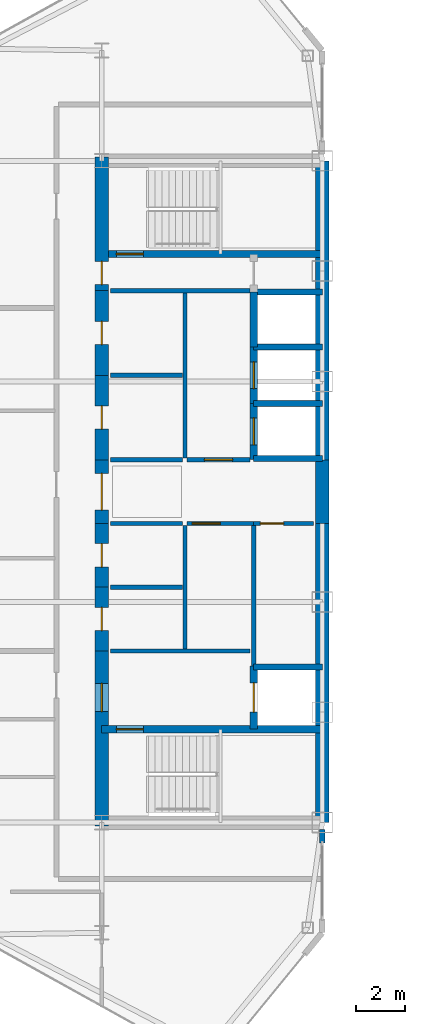
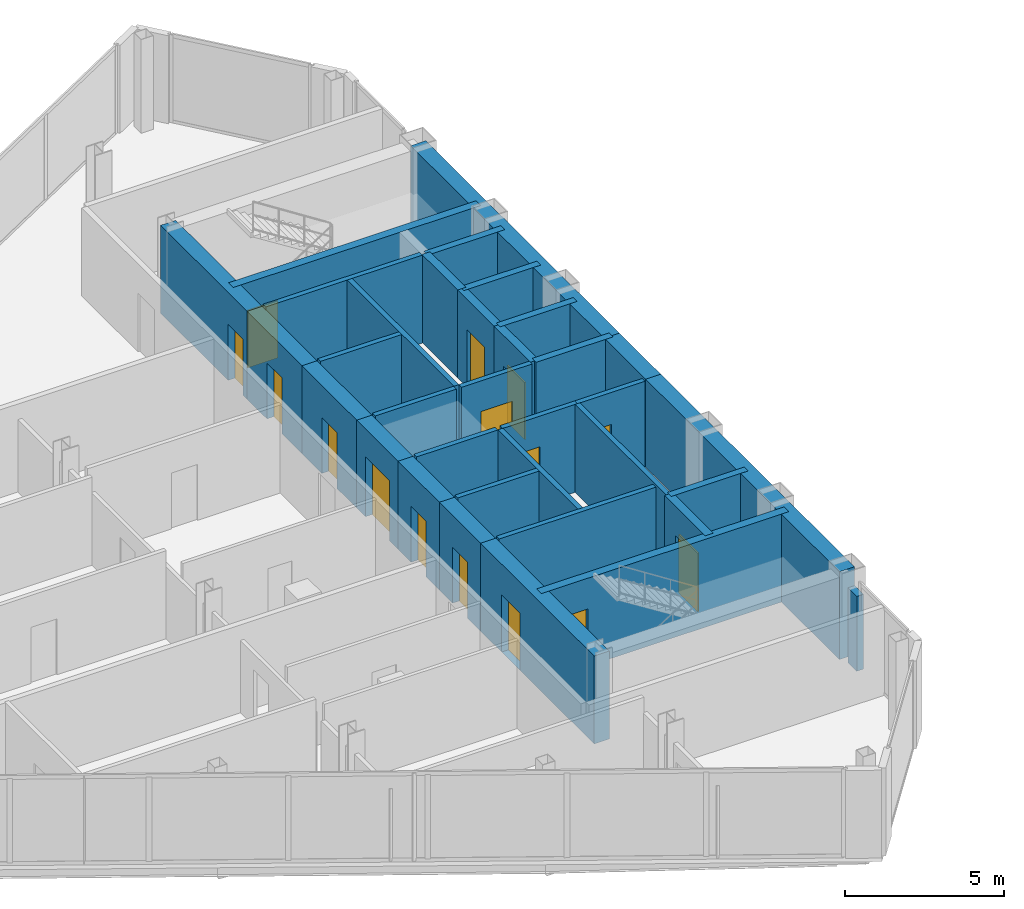
# One storey, part 20 of 26: 34 walls, 15 doors, 15 openings.
"""IFC4 building model written with IfcOpenShell, lengths in metres."""

from ifc_helpers import new_model, si_unit, direction, frame, frame_2d, origin, place, context, subcontext, project, spatial, rectangle, extrude, source, transform, mapped, material, layer, layer_set, type_object, type_shapes, element, fill, save


model = new_model("IFC4")

# Units and contexts
model_context = context("Model", 3, precision=1e-05, world=origin(), true_north=direction((0.0, 1.0)))
body_context = subcontext(model_context, "Body", "Model", "MODEL_VIEW")
ifc_project = project(units=[si_unit("LENGTHUNIT", "METRE"), si_unit("AREAUNIT", "SQUARE_METRE"), si_unit("VOLUMEUNIT", "CUBIC_METRE"), si_unit("PLANEANGLEUNIT", "RADIAN"), si_unit("MASSUNIT", "GRAM", prefix="KILO")], contexts=[model_context])

# Site, building, storey
site_placement = place(None, origin())
site = spatial("IfcSite", under=ifc_project, at=site_placement, CompositionType="ELEMENT")
building_placement = place(site_placement, origin())
building = spatial("IfcBuilding", under=site, at=building_placement, Name="Seokmaru Belvedere", CompositionType="ELEMENT")
storey_placement = place(building_placement, frame((0.0, 0.0, 181.5)))
storey = spatial("IfcBuildingStorey", under=building, at=storey_placement, Name="L48", CompositionType="ELEMENT", Elevation=181.5)

# Walls
ifc_material_1 = material(Name="Fire-Rated Gypsum Shaftwall")
ifc_layer_1 = layer(ifc_material_1, 0.179931640625)
ifc_layer_set_1 = layer_set([ifc_layer_1], Name="Fire-Rated Gypsum Shaftwall")
wall_type_1 = type_object("IfcWallType", Name="Core Service Fire Partition 180", PredefinedType="PARTITIONING", material=ifc_layer_set_1)
for number, where, z_axis, x_axis, name in (
    (1, (-36.14990234375, -6.5, 0.0), (0.0, 0.0, 1.0), (1.0, 0.0, 0.0), "L48 West Firefighting Lobby Partition"),
    (2, (-36.14990234375, 8.199951171875, 0.0), (0.0, 0.0, 1.0), (1.0, 0.0, 0.0), "L48 West Smokeproof Vestibule Partition"),
):
    element("IfcWall", number, at=place(storey_placement, frame(where, z_axis=z_axis, x_axis=x_axis)), inside=storey, type_object=wall_type_1, Name=name, PredefinedType="PARTITIONING", context=body_context, shape_type="SweptSolid", body=[
        extrude(rectangle(XDim=5.699951171875, YDim=0.179931640625, at=frame_2d((2.85009765625, 0.0))), origin(), (0.0, 0.0, 1.0), 3.3798828125),
    ])
wall_1_placement = place(storey_placement, frame((-33.10009765625, -6.419921875, 0.0), z_axis=(0.0, 0.0, 1.0), x_axis=(0.0, 1.0, 0.0)))
element("IfcWall", 3, at=wall_1_placement, inside=storey, type_object=wall_type_1, Name="L48 West South Core Service Back Wall", PredefinedType="PARTITIONING", context=body_context, shape_type="SweptSolid", body=[
    extrude(rectangle(XDim=5.0400390625, YDim=0.179931640625, at=frame_2d((2.52001953125, 0.0))), origin(), (0.0, 0.0, 1.0), 3.3798828125),
])
wall_2_placement = place(storey_placement, frame((-33.10009765625, 1.3798828125, 0.0), z_axis=(0.0, 0.0, 1.0), x_axis=(0.0, 1.0, 0.0)))
element("IfcWall", 4, at=wall_2_placement, inside=storey, type_object=wall_type_1, Name="L48 West North Core Service Back Wall", PredefinedType="PARTITIONING", context=body_context, shape_type="SweptSolid", body=[
    extrude(rectangle(XDim=6.740234375, YDim=0.179931640625, at=frame_2d((3.3701171875, 0.0))), origin(), (0.0, 0.0, 1.0), 3.3798828125),
])

# Wall, opening, door
wall_3_placement = place(storey_placement, frame((-30.300048828125, -1.300048828125, 0.0), z_axis=(0.0, 0.0, 1.0), x_axis=(1.0, 0.0, 0.0)))
wall_3 = element("IfcWall", 5, at=wall_3_placement, inside=storey, type_object=wall_type_1, Name="L48 West South Parcel Vault Foyer Wall", PredefinedType="PARTITIONING", context=body_context, shape_type="SweptSolid", body=[
    extrude(rectangle(XDim=2.449951171875, YDim=0.179931640625, at=frame_2d((1.22509765625, 0.0))), origin(), (0.0, 0.0, 1.0), 3.3798828125),
])
opening_1_placement = place(wall_3_placement, frame((0.27490234375, 0.0, 0.0)))
opening_1 = element("IfcOpeningElement", 6, at=opening_1_placement, cuts=wall_3, Name="Opening D04", PredefinedType="OPENING", context=body_context, shape_type="SweptSolid", body=[
    extrude(rectangle(XDim=0.949951171875, YDim=2.14990234375, at=frame_2d((0.47509765625, 1.074951171875))), frame((0.0, 0.10009765625, 0.0), z_axis=(0.0, -1.0, 0.0), x_axis=(1.0, 0.0, 0.0)), (0.0, 0.0, 1.0), 0.199951171875),
])
ifc_material_2 = material(Name="Fire-Rated Steel Leaf", Category="steel")
door_type_1 = type_object("IfcDoorType", Name="Core Service Room Fire Door 950x2150", OperationType="NOTDEFINED", PredefinedType="DOOR", material=ifc_material_2)
shared_shape_1 = source(origin(), body_context, "Body", "SweptSolid", [
    extrude(rectangle(XDim=0.949951171875, YDim=2.14990234375, at=frame_2d((0.47509765625, 1.074951171875))), frame((0.0, 0.02490234375, 0.0), z_axis=(0.0, -1.0, 0.0), x_axis=(1.0, 0.0, 0.0)), (0.0, 0.0, 1.0), 0.050048828125),
])
type_shapes(door_type_1, [shared_shape_1])
door_1_placement = place(opening_1_placement, origin())
door_1 = element("IfcDoor", 7, at=door_1_placement, inside=storey, type_object=door_type_1, Name="L48 West South Parcel Vault Door", OperationType="SINGLE_SWING_LEFT", OverallHeight=2.14990234375, OverallWidth=0.949951171875, PredefinedType="DOOR", context=body_context, shape_type="MappedRepresentation", body=[
    mapped(shared_shape_1, transform((0.0, 0.0, 0.0), scale=1.0)),
])
fill(opening_1, door_1)

wall_4_placement = place(storey_placement, frame((-33.02001953125, -1.300048828125, 0.0), z_axis=(0.0, 0.0, 1.0), x_axis=(1.0, 0.0, 0.0)))
wall_4 = element("IfcWall", 8, at=wall_4_placement, inside=storey, type_object=wall_type_1, Name="L48 West South Wine Cellar Foyer Wall", PredefinedType="PARTITIONING", context=body_context, shape_type="SweptSolid", body=[
    extrude(rectangle(XDim=2.719970703125, YDim=0.179931640625, at=frame_2d((1.35986328125, 0.0))), origin(), (0.0, 0.0, 1.0), 3.3798828125),
])
opening_2_placement = place(wall_4_placement, frame((0.2099609375, 0.0, 0.0)))
opening_2 = element("IfcOpeningElement", 9, at=opening_2_placement, cuts=wall_4, Name="Opening D02", PredefinedType="OPENING", context=body_context, shape_type="SweptSolid", body=[
    extrude(rectangle(XDim=1.14990234375, YDim=2.199951171875, at=frame_2d((0.574951171875, 1.10009765625))), frame((0.0, 0.10009765625, 0.0), z_axis=(0.0, -1.0, 0.0), x_axis=(1.0, 0.0, 0.0)), (0.0, 0.0, 1.0), 0.199951171875),
])
door_type_2 = type_object("IfcDoorType", Name="Lobby and Vestibule Fire Door 1150x2200", OperationType="NOTDEFINED", PredefinedType="DOOR", material=ifc_material_2)
shared_shape_2 = source(origin(), body_context, "Body", "SweptSolid", [
    extrude(rectangle(XDim=1.14990234375, YDim=2.199951171875, at=frame_2d((0.574951171875, 1.10009765625))), frame((0.0, 0.02490234375, 0.0), z_axis=(0.0, -1.0, 0.0), x_axis=(1.0, 0.0, 0.0)), (0.0, 0.0, 1.0), 0.050048828125),
])
type_shapes(door_type_2, [shared_shape_2])
door_2_placement = place(opening_2_placement, origin())
door_2 = element("IfcDoor", 10, at=door_2_placement, inside=storey, type_object=door_type_2, Name="L48 West South Core Foyer Door", OperationType="SINGLE_SWING_LEFT", OverallHeight=2.199951171875, OverallWidth=1.14990234375, PredefinedType="DOOR", context=body_context, shape_type="MappedRepresentation", body=[
    mapped(shared_shape_2, transform((0.0, 0.0, 0.0), scale=1.0)),
])
fill(opening_2, door_2)

# Wall
wall_5_placement = place(storey_placement, frame((-30.300048828125, -7.1201171875, 0.0), z_axis=(0.0, 0.0, 1.0), x_axis=(0.0, 1.0, 0.0)))
element("IfcWall", 11, at=wall_5_placement, inside=storey, type_object=wall_type_1, Name="L48 West Freed Shaft Vault Partition", PredefinedType="PARTITIONING", context=body_context, shape_type="SweptSolid", body=[
    extrude(rectangle(XDim=5.740234375, YDim=0.179931640625, at=frame_2d((2.8701171875, 0.0))), origin(), (0.0, 0.0, 1.0), 3.3798828125),
])

# Wall, opening, door
wall_6_placement = place(storey_placement, frame((-33.02001953125, 1.300048828125, 0.0), z_axis=(0.0, 0.0, 1.0), x_axis=(1.0, 0.0, 0.0)))
wall_6 = element("IfcWall", 12, at=wall_6_placement, inside=storey, type_object=wall_type_1, Name="L48 West North Lift Lobby Foyer Wall", PredefinedType="PARTITIONING", context=body_context, shape_type="SweptSolid", body=[
    extrude(rectangle(XDim=2.570068359375, YDim=0.179931640625, at=frame_2d((1.28515625, 0.0))), origin(), (0.0, 0.0, 1.0), 3.3798828125),
])
opening_3_placement = place(wall_6_placement, frame((0.7099609375, 0.0, 0.0)))
opening_3 = element("IfcOpeningElement", 13, at=opening_3_placement, cuts=wall_6, Name="Opening D02", PredefinedType="OPENING", context=body_context, shape_type="SweptSolid", body=[
    extrude(rectangle(XDim=1.14990234375, YDim=2.199951171875, at=frame_2d((0.574951171875, 1.10009765625))), frame((0.0, 0.10009765625, 0.0), z_axis=(0.0, -1.0, 0.0), x_axis=(1.0, 0.0, 0.0)), (0.0, 0.0, 1.0), 0.199951171875),
])
door_3_placement = place(opening_3_placement, origin())
door_3 = element("IfcDoor", 14, at=door_3_placement, inside=storey, type_object=door_type_2, Name="L48 West North Lift Lobby Door", OperationType="SINGLE_SWING_RIGHT", OverallHeight=2.199951171875, OverallWidth=1.14990234375, PredefinedType="DOOR", context=body_context, shape_type="MappedRepresentation", body=[
    mapped(shared_shape_2, transform((0.0, 0.0, 0.0), scale=1.0)),
])
fill(opening_3, door_3)

# Walls
for number, where, z_axis, x_axis, name in (
    (15, (-36.14990234375, -1.300048828125, 0.0), (0.0, 0.0, 1.0), (1.0, 0.0, 0.0), "L48 West Foyer Side Wall S"),
    (16, (-36.14990234375, 1.300048828125, 0.0), (0.0, 0.0, 1.0), (1.0, 0.0, 0.0), "L48 West Foyer Side Wall N"),
    (17, (-36.14990234375, -3.89990234375, 0.0), (0.0, 0.0, 1.0), (1.0, 0.0, 0.0), "L48 West Core Service Partition 1"),
    (18, (-36.14990234375, 4.75, 0.0), (0.0, 0.0, 1.0), (1.0, 0.0, 0.0), "L48 West Core Service Partition 2"),
):
    element("IfcWall", number, at=place(storey_placement, frame(where, z_axis=z_axis, x_axis=x_axis)), inside=storey, type_object=wall_type_1, Name=name, PredefinedType="PARTITIONING", context=body_context, shape_type="SweptSolid", body=[
        extrude(rectangle(XDim=2.949951171875, YDim=0.179931640625, at=frame_2d((1.47509765625, 0.0))), origin(), (0.0, 0.0, 1.0), 3.3798828125),
    ])
ifc_material_3 = material(Name="Concrete C50 (50 MPa)", Category="concrete")
ifc_layer_2 = layer(ifc_material_3, 0.25)
ifc_layer_set_2 = layer_set([ifc_layer_2], Name="Concrete C50 (50 MPa)")
wall_type_2 = type_object("IfcWallType", Name="Hoistway Transverse Concrete Divider Wall 250", PredefinedType="SHEAR", material=ifc_layer_set_2)
for number, where, z_axis, x_axis, name in (
    (19, (-30.300048828125, -7.14990234375, 0.0), (0.0, 0.0, 1.0), (1.0, 0.0, 0.0), "L48 West Hoistway Divider Core Wall 1"),
    (20, (-30.300048828125, 1.35009765625, 0.0), (0.0, 0.0, 1.0), (1.0, 0.0, 0.0), "L48 West Hoistway Divider Core Wall 2"),
    (21, (-30.300048828125, 3.60009765625, 0.0), (0.0, 0.0, 1.0), (1.0, 0.0, 0.0), "L48 West Hoistway Divider Core Wall 3"),
    (22, (-30.300048828125, 5.89990234375, 0.0), (0.0, 0.0, 1.0), (1.0, 0.0, 0.0), "L48 West Hoistway Divider Core Wall 4"),
    (23, (-30.300048828125, 8.14990234375, 0.0), (0.0, 0.0, 1.0), (1.0, 0.0, 0.0), "L48 West Hoistway Divider Core Wall 5"),
):
    element("IfcWall", number, at=place(storey_placement, frame(where, z_axis=z_axis, x_axis=x_axis)), inside=storey, type_object=wall_type_2, Name=name, PredefinedType="SHEAR", context=body_context, shape_type="SweptSolid", body=[
        extrude(rectangle(XDim=2.800048828125, YDim=0.25, at=frame_2d((1.39990234375, 0.0))), origin(), (0.0, 0.0, 1.0), 3.3798828125),
    ])

# Wall, opening, door
ifc_layer_3 = layer(ifc_material_3, 0.300048828125)
ifc_layer_set_3 = layer_set([ifc_layer_3], Name="Concrete C50 (50 MPa)")
wall_type_3 = type_object("IfcWallType", Name="Internal Core Stair and Hoistway Wall 300", PredefinedType="SHEAR", material=ifc_layer_set_3)
wall_7_placement = place(storey_placement, frame((-36.5, -9.699951171875, 0.0), z_axis=(0.0, 0.0, 1.0), x_axis=(1.0, 0.0, 0.0)))
wall_7 = element("IfcWall", 24, at=wall_7_placement, inside=storey, type_object=wall_type_3, Name="L48 West Stair ST-1 Enclosure Wall", PredefinedType="SHEAR", context=body_context, shape_type="SweptSolid", body=[
    extrude(rectangle(XDim=9.0, YDim=0.300048828125, at=frame_2d((4.5, 0.0))), origin(), (0.0, 0.0, 1.0), 3.3798828125),
])
opening_4_placement = place(wall_7_placement, frame((0.60009765625, 0.0, 0.0)))
opening_4 = element("IfcOpeningElement", 25, at=opening_4_placement, cuts=wall_7, Name="Opening D01", PredefinedType="OPENING", context=body_context, shape_type="SweptSolid", body=[
    extrude(rectangle(XDim=1.10009765625, YDim=2.199951171875, at=frame_2d((0.550048828125, 1.10009765625))), frame((0.0, 0.16015625, 0.0), z_axis=(0.0, -1.0, 0.0), x_axis=(1.0, 0.0, 0.0)), (0.0, 0.0, 1.0), 0.320068359375),
])
door_type_3 = type_object("IfcDoorType", Name="Special Escape Stair Smokeproof Fire Door 1100x2200", OperationType="NOTDEFINED", PredefinedType="DOOR", material=ifc_material_2)
shared_shape_3 = source(origin(), body_context, "Body", "SweptSolid", [
    extrude(rectangle(XDim=1.10009765625, YDim=2.199951171875, at=frame_2d((0.550048828125, 1.10009765625))), frame((0.0, 0.02490234375, 0.0), z_axis=(0.0, -1.0, 0.0), x_axis=(1.0, 0.0, 0.0)), (0.0, 0.0, 1.0), 0.050048828125),
])
type_shapes(door_type_3, [shared_shape_3])
door_4_placement = place(opening_4_placement, frame((1.10009765625, 0.0, 0.0), z_axis=(0.0, 0.0, 1.0), x_axis=(-1.0, 0.0, 0.0)))
door_4 = element("IfcDoor", 26, at=door_4_placement, inside=storey, type_object=door_type_3, Name="L48 West Special Escape Stair ST-1 Door", OperationType="SINGLE_SWING_LEFT", OverallHeight=2.199951171875, OverallWidth=1.10009765625, PredefinedType="DOOR", context=body_context, shape_type="MappedRepresentation", body=[
    mapped(shared_shape_3, transform((0.0, 0.0, 0.0), scale=1.0)),
])
fill(opening_4, door_4)

wall_8_placement = place(storey_placement, frame((-36.5, 9.699951171875, 0.0), z_axis=(0.0, 0.0, 1.0), x_axis=(1.0, 0.0, 0.0)))
wall_8 = element("IfcWall", 27, at=wall_8_placement, inside=storey, type_object=wall_type_3, Name="L48 West Stair ST-2 Enclosure Wall", PredefinedType="SHEAR", context=body_context, shape_type="SweptSolid", body=[
    extrude(rectangle(XDim=9.0, YDim=0.300048828125, at=frame_2d((4.5, 0.0))), origin(), (0.0, 0.0, 1.0), 3.3798828125),
])
opening_5_placement = place(wall_8_placement, frame((0.60009765625, 0.0, 0.0)))
opening_5 = element("IfcOpeningElement", 28, at=opening_5_placement, cuts=wall_8, Name="Opening D01", PredefinedType="OPENING", context=body_context, shape_type="SweptSolid", body=[
    extrude(rectangle(XDim=1.10009765625, YDim=2.199951171875, at=frame_2d((0.550048828125, 1.10009765625))), frame((0.0, 0.16015625, 0.0), z_axis=(0.0, -1.0, 0.0), x_axis=(1.0, 0.0, 0.0)), (0.0, 0.0, 1.0), 0.320068359375),
])
door_5_placement = place(opening_5_placement, origin())
door_5 = element("IfcDoor", 29, at=door_5_placement, inside=storey, type_object=door_type_3, Name="L48 West Special Escape Stair ST-2 Door", OperationType="SINGLE_SWING_RIGHT", OverallHeight=2.199951171875, OverallWidth=1.10009765625, PredefinedType="DOOR", context=body_context, shape_type="MappedRepresentation", body=[
    mapped(shared_shape_3, transform((0.0, 0.0, 0.0), scale=1.0)),
])
fill(opening_5, door_5)

wall_9_placement = place(storey_placement, frame((-30.300048828125, -9.679931640625, 0.0), z_axis=(0.0, 0.0, 1.0), x_axis=(0.0, 1.0, 0.0)))
wall_9 = element("IfcWall", 30, at=wall_9_placement, inside=storey, type_object=wall_type_3, Name="L48 West Firefighting Lift Shaft Front Wall", PredefinedType="SHEAR", context=body_context, shape_type="SweptSolid", body=[
    extrude(rectangle(XDim=2.559814453125, YDim=0.300048828125, at=frame_2d((1.27978515625, 0.0))), origin(), (0.0, 0.0, 1.0), 3.3798828125),
])
opening_6_placement = place(wall_9_placement, frame((0.679931640625, 0.0, 0.0)))
opening_6 = element("IfcOpeningElement", 31, at=opening_6_placement, cuts=wall_9, Name="Opening LD2", PredefinedType="OPENING", context=body_context, shape_type="SweptSolid", body=[
    extrude(rectangle(XDim=1.199951171875, YDim=2.25, at=frame_2d((0.60009765625, 1.125))), frame((0.0, 0.16015625, 0.0), z_axis=(0.0, -1.0, 0.0), x_axis=(1.0, 0.0, 0.0)), (0.0, 0.0, 1.0), 0.320068359375),
])
ifc_material_4 = material(Name="Stainless Steel 316", Category="steel")
door_type_4 = type_object("IfcDoorType", Name="Firefighting Lift Sliding Landing Door 1200x2250", OperationType="DOUBLE_DOOR_SLIDING", PredefinedType="DOOR", material=ifc_material_4)
shared_shape_4 = source(origin(), body_context, "Body", "SweptSolid", [
    extrude(rectangle(XDim=1.199951171875, YDim=2.25, at=frame_2d((0.60009765625, 1.125))), frame((0.0, 0.02490234375, 0.0), z_axis=(0.0, -1.0, 0.0), x_axis=(1.0, 0.0, 0.0)), (0.0, 0.0, 1.0), 0.050048828125),
])
type_shapes(door_type_4, [shared_shape_4])
door_6_placement = place(opening_6_placement, origin())
door_6 = element("IfcDoor", 32, at=door_6_placement, inside=storey, type_object=door_type_4, Name="L48 West Firefighting Lift Landing Door", OperationType="DOUBLE_DOOR_SLIDING", OverallHeight=2.25, OverallWidth=1.199951171875, PredefinedType="DOOR", context=body_context, shape_type="MappedRepresentation", body=[
    mapped(shared_shape_4, transform((0.0, 0.0, 0.0), scale=1.0)),
])
fill(opening_6, door_6)

wall_10_placement = place(storey_placement, frame((-30.300048828125, 1.320068359375, 0.0), z_axis=(0.0, 0.0, 1.0), x_axis=(0.0, 1.0, 0.0)))
wall_10 = element("IfcWall", 33, at=wall_10_placement, inside=storey, type_object=wall_type_3, Name="L48 West North Hoistway Wall PH1", PredefinedType="SHEAR", context=body_context, shape_type="SweptSolid", body=[
    extrude(rectangle(XDim=2.280029296875, YDim=0.300048828125, at=frame_2d((1.14013671875, 0.0))), origin(), (0.0, 0.0, 1.0), 3.3798828125),
])
opening_7_placement = place(wall_10_placement, frame((0.590087890625, 0.0, 0.0)))
opening_7 = element("IfcOpeningElement", 34, at=opening_7_placement, cuts=wall_10, Name="Opening LD1", PredefinedType="OPENING", context=body_context, shape_type="SweptSolid", body=[
    extrude(rectangle(XDim=1.10009765625, YDim=2.199951171875, at=frame_2d((0.550048828125, 1.10009765625))), frame((0.0, 0.16015625, 0.0), z_axis=(0.0, -1.0, 0.0), x_axis=(1.0, 0.0, 0.0)), (0.0, 0.0, 1.0), 0.320068359375),
])
door_type_5 = type_object("IfcDoorType", Name="Passenger Lift Sliding Landing Door 1100x2200", OperationType="DOUBLE_DOOR_SLIDING", PredefinedType="DOOR", material=ifc_material_4)
shared_shape_5 = source(origin(), body_context, "Body", "SweptSolid", [
    extrude(rectangle(XDim=1.10009765625, YDim=2.199951171875, at=frame_2d((0.550048828125, 1.10009765625))), frame((0.0, 0.02490234375, 0.0), z_axis=(0.0, -1.0, 0.0), x_axis=(1.0, 0.0, 0.0)), (0.0, 0.0, 1.0), 0.050048828125),
])
type_shapes(door_type_5, [shared_shape_5])
door_7_placement = place(opening_7_placement, origin())
door_7 = element("IfcDoor", 35, at=door_7_placement, inside=storey, type_object=door_type_5, Name="L48 West High-Rise Lift PH-1 Landing Door", OperationType="DOUBLE_DOOR_SLIDING", OverallHeight=2.199951171875, OverallWidth=1.10009765625, PredefinedType="DOOR", context=body_context, shape_type="MappedRepresentation", body=[
    mapped(shared_shape_5, transform((0.0, 0.0, 0.0), scale=1.0)),
])
fill(opening_7, door_7)

wall_11_placement = place(storey_placement, frame((-30.300048828125, 3.60009765625, 0.0), z_axis=(0.0, 0.0, 1.0), x_axis=(0.0, 1.0, 0.0)))
wall_11 = element("IfcWall", 36, at=wall_11_placement, inside=storey, type_object=wall_type_3, Name="L48 West North Hoistway Wall PH2", PredefinedType="SHEAR", context=body_context, shape_type="SweptSolid", body=[
    extrude(rectangle(XDim=2.2998046875, YDim=0.300048828125, at=frame_2d((1.14990234375, 0.0))), origin(), (0.0, 0.0, 1.0), 3.3798828125),
])
opening_8_placement = place(wall_11_placement, frame((0.60009765625, 0.0, 0.0)))
opening_8 = element("IfcOpeningElement", 37, at=opening_8_placement, cuts=wall_11, Name="Opening LD1", PredefinedType="OPENING", context=body_context, shape_type="SweptSolid", body=[
    extrude(rectangle(XDim=1.10009765625, YDim=2.199951171875, at=frame_2d((0.550048828125, 1.10009765625))), frame((0.0, 0.16015625, 0.0), z_axis=(0.0, -1.0, 0.0), x_axis=(1.0, 0.0, 0.0)), (0.0, 0.0, 1.0), 0.320068359375),
])
door_8_placement = place(opening_8_placement, origin())
door_8 = element("IfcDoor", 38, at=door_8_placement, inside=storey, type_object=door_type_5, Name="L48 West High-Rise Lift PH-2 Landing Door", OperationType="DOUBLE_DOOR_SLIDING", OverallHeight=2.199951171875, OverallWidth=1.10009765625, PredefinedType="DOOR", context=body_context, shape_type="MappedRepresentation", body=[
    mapped(shared_shape_5, transform((0.0, 0.0, 0.0), scale=1.0)),
])
fill(opening_8, door_8)

# Walls
wall_12_placement = place(storey_placement, frame((-30.300048828125, 5.89990234375, 0.0), z_axis=(0.0, 0.0, 1.0), x_axis=(0.0, 1.0, 0.0)))
element("IfcWall", 39, at=wall_12_placement, inside=storey, type_object=wall_type_3, Name="L48 West North Hoistway Wall OBS", PredefinedType="SHEAR", context=body_context, shape_type="SweptSolid", body=[
    extrude(rectangle(XDim=2.25, YDim=0.300048828125, at=frame_2d((1.125, 0.0))), origin(), (0.0, 0.0, 1.0), 3.3798828125),
])
ifc_layer_4 = layer(ifc_material_3, 0.550048828125)
ifc_layer_set_4 = layer_set([ifc_layer_4], Name="Concrete C50 (50 MPa)")
wall_type_4 = type_object("IfcWallType", Name="Mid-High Reinforced Concrete Core Wall 550", PredefinedType="SHEAR", material=ifc_layer_set_4)
for number, where, z_axis, x_axis, name in (
    (40, (-27.5, -13.5, 0.0), (0.0, 0.0, 1.0), (0.0, 1.0, 0.0), "L48 West Portal Spine Core Wall South"),
    (41, (-27.5, 1.300048828125, 0.0), (0.0, 0.0, 1.0), (0.0, 1.0, 0.0), "L48 West Portal Spine Core Wall North"),
):
    element("IfcWall", number, at=place(storey_placement, frame(where, z_axis=z_axis, x_axis=x_axis)), inside=storey, type_object=wall_type_4, Name=name, PredefinedType="SHEAR", context=body_context, shape_type="SweptSolid", body=[
        extrude(rectangle(XDim=12.199951171875, YDim=0.550048828125, at=frame_2d((6.10009765625, 0.0))), origin(), (0.0, 0.0, 1.0), 3.3798828125),
    ])
wall_13_placement = place(storey_placement, frame((-27.5, -1.300048828125, 0.0), z_axis=(0.0, 0.0, 1.0), x_axis=(0.0, 1.0, 0.0)))
element("IfcWall", 42, at=wall_13_placement, inside=storey, type_object=wall_type_4, Name="L48 West Portal Spine Core Wall Center", PredefinedType="SHEAR", context=body_context, shape_type="SweptSolid", body=[
    extrude(rectangle(XDim=2.60009765625, YDim=0.550048828125, at=frame_2d((1.300048828125, 0.0))), origin(), (0.0, 0.0, 1.0), 3.3798828125),
])

# Wall, opening, door
wall_14_placement = place(storey_placement, frame((-36.5, -13.64990234375, 0.0), z_axis=(0.0, 0.0, 1.0), x_axis=(0.0, 1.0, 0.0)))
wall_14 = element("IfcWall", 43, at=wall_14_placement, inside=storey, type_object=wall_type_4, Name="L48 West West Core Wall FF", PredefinedType="SHEAR", context=body_context, shape_type="SweptSolid", body=[
    extrude(rectangle(XDim=7.14990234375, YDim=0.550048828125, at=frame_2d((3.574951171875, 0.0))), origin(), (0.0, 0.0, 1.0), 3.3798828125),
])
opening_9_placement = place(wall_14_placement, frame((4.675048828125, 0.0, 0.0)))
opening_9 = element("IfcOpeningElement", 44, at=opening_9_placement, cuts=wall_14, Name="Opening D02", PredefinedType="OPENING", context=body_context, shape_type="SweptSolid", body=[
    extrude(rectangle(XDim=1.14990234375, YDim=2.199951171875, at=frame_2d((0.574951171875, 1.10009765625))), frame((0.0, 0.28515625, 0.0), z_axis=(0.0, -1.0, 0.0), x_axis=(1.0, 0.0, 0.0)), (0.0, 0.0, 1.0), 0.570068359375),
])
door_9_placement = place(opening_9_placement, frame((1.14990234375, 0.0, 0.0), z_axis=(0.0, 0.0, 1.0), x_axis=(-1.0, 0.0, 0.0)))
door_9 = element("IfcDoor", 45, at=door_9_placement, inside=storey, type_object=door_type_2, Name="L48 West Firefighting Lobby Door", OperationType="SINGLE_SWING_LEFT", OverallHeight=2.199951171875, OverallWidth=1.14990234375, PredefinedType="DOOR", context=body_context, shape_type="MappedRepresentation", body=[
    mapped(shared_shape_2, transform((0.0, 0.0, 0.0), scale=1.0)),
])
fill(opening_9, door_9)

wall_15_placement = place(storey_placement, frame((-36.5, -1.300048828125, 0.0), z_axis=(0.0, 0.0, 1.0), x_axis=(0.0, 1.0, 0.0)))
wall_15 = element("IfcWall", 46, at=wall_15_placement, inside=storey, type_object=wall_type_4, Name="L48 West West Core Wall FOY", PredefinedType="SHEAR", context=body_context, shape_type="SweptSolid", body=[
    extrude(rectangle(XDim=2.60009765625, YDim=0.550048828125, at=frame_2d((1.300048828125, 0.0))), origin(), (0.0, 0.0, 1.0), 3.3798828125),
])
opening_10_placement = place(wall_15_placement, frame((0.550048828125, 0.0, 0.0)))
opening_10 = element("IfcOpeningElement", 47, at=opening_10_placement, cuts=wall_15, Name="Opening D08", PredefinedType="OPENING", context=body_context, shape_type="SweptSolid", body=[
    extrude(rectangle(XDim=1.5, YDim=2.300048828125, at=frame_2d((0.75, 1.14990234375))), frame((0.0, 0.28515625, 0.0), z_axis=(0.0, -1.0, 0.0), x_axis=(1.0, 0.0, 0.0)), (0.0, 0.0, 1.0), 0.570068359375),
])
door_type_6 = type_object("IfcDoorType", Name="Cross-Corridor Compartment Double Fire Door 1500x2300", OperationType="DOUBLE_SWING_LEFT", PredefinedType="DOOR", material=ifc_material_2)
shared_shape_6 = source(origin(), body_context, "Body", "SweptSolid", [
    extrude(rectangle(XDim=1.5, YDim=2.300048828125, at=frame_2d((0.75, 1.14990234375))), frame((0.0, 0.02490234375, 0.0), z_axis=(0.0, -1.0, 0.0), x_axis=(1.0, 0.0, 0.0)), (0.0, 0.0, 1.0), 0.050048828125),
])
type_shapes(door_type_6, [shared_shape_6])
door_10_placement = place(opening_10_placement, origin())
door_10 = element("IfcDoor", 48, at=door_10_placement, inside=storey, type_object=door_type_6, Name="L48 West Core Foyer Compartment Door", OperationType="DOUBLE_SWING_LEFT", OverallHeight=2.300048828125, OverallWidth=1.5, PredefinedType="DOOR", context=body_context, shape_type="MappedRepresentation", body=[
    mapped(shared_shape_6, transform((0.0, 0.0, 0.0), scale=1.0)),
])
fill(opening_10, door_10)

wall_16_placement = place(storey_placement, frame((-36.5, 8.199951171875, 0.0), z_axis=(0.0, 0.0, 1.0), x_axis=(0.0, 1.0, 0.0)))
wall_16 = element("IfcWall", 49, at=wall_16_placement, inside=storey, type_object=wall_type_4, Name="L48 West West Core Wall VST", PredefinedType="SHEAR", context=body_context, shape_type="SweptSolid", body=[
    extrude(rectangle(XDim=5.449951171875, YDim=0.550048828125, at=frame_2d((2.72509765625, 0.0))), origin(), (0.0, 0.0, 1.0), 3.3798828125),
])
opening_11_placement = place(wall_16_placement, frame((0.2451171875, 0.0, 0.0)))
opening_11 = element("IfcOpeningElement", 50, at=opening_11_placement, cuts=wall_16, Name="Opening D04", PredefinedType="OPENING", context=body_context, shape_type="SweptSolid", body=[
    extrude(rectangle(XDim=0.949951171875, YDim=2.14990234375, at=frame_2d((0.47509765625, 1.074951171875))), frame((0.0, 0.28515625, 0.0), z_axis=(0.0, -1.0, 0.0), x_axis=(1.0, 0.0, 0.0)), (0.0, 0.0, 1.0), 0.570068359375),
])
door_11_placement = place(opening_11_placement, frame((0.949951171875, 0.0, 0.0), z_axis=(0.0, 0.0, 1.0), x_axis=(-1.0, 0.0, 0.0)))
door_11 = element("IfcDoor", 51, at=door_11_placement, inside=storey, type_object=door_type_1, Name="L48 West Smokeproof Vestibule Door", OperationType="SINGLE_SWING_RIGHT", OverallHeight=2.14990234375, OverallWidth=0.949951171875, PredefinedType="DOOR", context=body_context, shape_type="MappedRepresentation", body=[
    mapped(shared_shape_1, transform((0.0, 0.0, 0.0), scale=1.0)),
])
fill(opening_11, door_11)

wall_17_placement = place(storey_placement, frame((-36.5, -6.5, 0.0), z_axis=(0.0, 0.0, 1.0), x_axis=(0.0, 1.0, 0.0)))
wall_17 = element("IfcWall", 52, at=wall_17_placement, inside=storey, type_object=wall_type_4, Name="L48 West West Core Wall CS1", PredefinedType="SHEAR", context=body_context, shape_type="SweptSolid", body=[
    extrude(rectangle(XDim=2.60009765625, YDim=0.550048828125, at=frame_2d((1.300048828125, 0.0))), origin(), (0.0, 0.0, 1.0), 3.3798828125),
])
opening_12_placement = place(wall_17_placement, frame((0.824951171875, 0.0, 0.0)))
opening_12 = element("IfcOpeningElement", 53, at=opening_12_placement, cuts=wall_17, Name="Opening D04", PredefinedType="OPENING", context=body_context, shape_type="SweptSolid", body=[
    extrude(rectangle(XDim=0.949951171875, YDim=2.14990234375, at=frame_2d((0.47509765625, 1.074951171875))), frame((0.0, 0.28515625, 0.0), z_axis=(0.0, -1.0, 0.0), x_axis=(1.0, 0.0, 0.0)), (0.0, 0.0, 1.0), 0.570068359375),
])
door_12_placement = place(opening_12_placement, origin())
door_12 = element("IfcDoor", 54, at=door_12_placement, inside=storey, type_object=door_type_1, Name="L48 West Core Service Room Door 1", OperationType="SINGLE_SWING_LEFT", OverallHeight=2.14990234375, OverallWidth=0.949951171875, PredefinedType="DOOR", context=body_context, shape_type="MappedRepresentation", body=[
    mapped(shared_shape_1, transform((0.0, 0.0, 0.0), scale=1.0)),
])
fill(opening_12, door_12)

wall_18_placement = place(storey_placement, frame((-36.5, -3.89990234375, 0.0), z_axis=(0.0, 0.0, 1.0), x_axis=(0.0, 1.0, 0.0)))
wall_18 = element("IfcWall", 55, at=wall_18_placement, inside=storey, type_object=wall_type_4, Name="L48 West West Core Wall CS2", PredefinedType="SHEAR", context=body_context, shape_type="SweptSolid", body=[
    extrude(rectangle(XDim=2.599853515625, YDim=0.550048828125, at=frame_2d((1.2998046875, 0.0))), origin(), (0.0, 0.0, 1.0), 3.3798828125),
])
opening_13_placement = place(wall_18_placement, frame((0.824951171875, 0.0, 0.0)))
opening_13 = element("IfcOpeningElement", 56, at=opening_13_placement, cuts=wall_18, Name="Opening D04", PredefinedType="OPENING", context=body_context, shape_type="SweptSolid", body=[
    extrude(rectangle(XDim=0.949951171875, YDim=2.14990234375, at=frame_2d((0.47509765625, 1.074951171875))), frame((0.0, 0.28515625, 0.0), z_axis=(0.0, -1.0, 0.0), x_axis=(1.0, 0.0, 0.0)), (0.0, 0.0, 1.0), 0.570068359375),
])
door_13_placement = place(opening_13_placement, origin())
door_13 = element("IfcDoor", 57, at=door_13_placement, inside=storey, type_object=door_type_1, Name="L48 West Core Service Room Door 2", OperationType="SINGLE_SWING_RIGHT", OverallHeight=2.14990234375, OverallWidth=0.949951171875, PredefinedType="DOOR", context=body_context, shape_type="MappedRepresentation", body=[
    mapped(shared_shape_1, transform((0.0, 0.0, 0.0), scale=1.0)),
])
fill(opening_13, door_13)

wall_19_placement = place(storey_placement, frame((-36.5, 1.300048828125, 0.0), z_axis=(0.0, 0.0, 1.0), x_axis=(0.0, 1.0, 0.0)))
wall_19 = element("IfcWall", 58, at=wall_19_placement, inside=storey, type_object=wall_type_4, Name="L48 West West Core Wall CS3", PredefinedType="SHEAR", context=body_context, shape_type="SweptSolid", body=[
    extrude(rectangle(XDim=3.449951171875, YDim=0.550048828125, at=frame_2d((1.72509765625, 0.0))), origin(), (0.0, 0.0, 1.0), 3.3798828125),
])
opening_14_placement = place(wall_19_placement, frame((1.25, 0.0, 0.0)))
opening_14 = element("IfcOpeningElement", 59, at=opening_14_placement, cuts=wall_19, Name="Opening D04", PredefinedType="OPENING", context=body_context, shape_type="SweptSolid", body=[
    extrude(rectangle(XDim=0.949951171875, YDim=2.14990234375, at=frame_2d((0.47509765625, 1.074951171875))), frame((0.0, 0.28515625, 0.0), z_axis=(0.0, -1.0, 0.0), x_axis=(1.0, 0.0, 0.0)), (0.0, 0.0, 1.0), 0.570068359375),
])
door_14_placement = place(opening_14_placement, origin())
door_14 = element("IfcDoor", 60, at=door_14_placement, inside=storey, type_object=door_type_1, Name="L48 West Core Service Room Door 3", OperationType="SINGLE_SWING_LEFT", OverallHeight=2.14990234375, OverallWidth=0.949951171875, PredefinedType="DOOR", context=body_context, shape_type="MappedRepresentation", body=[
    mapped(shared_shape_1, transform((0.0, 0.0, 0.0), scale=1.0)),
])
fill(opening_14, door_14)

wall_20_placement = place(storey_placement, frame((-36.5, 4.75, 0.0), z_axis=(0.0, 0.0, 1.0), x_axis=(0.0, 1.0, 0.0)))
wall_20 = element("IfcWall", 61, at=wall_20_placement, inside=storey, type_object=wall_type_4, Name="L48 West West Core Wall CS4", PredefinedType="SHEAR", context=body_context, shape_type="SweptSolid", body=[
    extrude(rectangle(XDim=3.449951171875, YDim=0.550048828125, at=frame_2d((1.72509765625, 0.0))), origin(), (0.0, 0.0, 1.0), 3.3798828125),
])
opening_15_placement = place(wall_20_placement, frame((1.25, 0.0, 0.0)))
opening_15 = element("IfcOpeningElement", 62, at=opening_15_placement, cuts=wall_20, Name="Opening D04", PredefinedType="OPENING", context=body_context, shape_type="SweptSolid", body=[
    extrude(rectangle(XDim=0.949951171875, YDim=2.14990234375, at=frame_2d((0.47509765625, 1.074951171875))), frame((0.0, 0.28515625, 0.0), z_axis=(0.0, -1.0, 0.0), x_axis=(1.0, 0.0, 0.0)), (0.0, 0.0, 1.0), 0.570068359375),
])
door_15_placement = place(opening_15_placement, origin())
door_15 = element("IfcDoor", 63, at=door_15_placement, inside=storey, type_object=door_type_1, Name="L48 West Core Service Room Door 4", OperationType="SINGLE_SWING_RIGHT", OverallHeight=2.14990234375, OverallWidth=0.949951171875, PredefinedType="DOOR", context=body_context, shape_type="MappedRepresentation", body=[
    mapped(shared_shape_1, transform((0.0, 0.0, 0.0), scale=1.0)),
])
fill(opening_15, door_15)

# Wall
ifc_material_5 = material(Name="Anodised Bronze Aluminium", Category="aluminium")
ifc_layer_5 = layer(ifc_material_5, 0.239990234375)
ifc_layer_set_5 = layer_set([ifc_layer_5], Name="Anodised Bronze Aluminium")
wall_type_5 = type_object("IfcWallType", Name="Tower Corner Spandrel Closure Wall 240", PredefinedType="SOLIDWALL", material=ifc_layer_set_5)
wall_21_placement = place(storey_placement, frame((-27.5, -14.330078125, 0.0), z_axis=(0.0, 0.0, 1.0), x_axis=(0.0, 1.0, 0.0)))
element("IfcWall", 64, at=wall_21_placement, inside=storey, type_object=wall_type_5, Name="L48 W Spine Closure Pier 1B", PredefinedType="SOLIDWALL", context=body_context, shape_type="SweptSolid", body=[
    extrude(rectangle(XDim=0.550048828125, YDim=0.239990234375, at=frame_2d((0.27490234375, 0.0))), origin(), (0.0, 0.0, 1.0), 2.8798828125),
])

save(model, "model.ifc")
